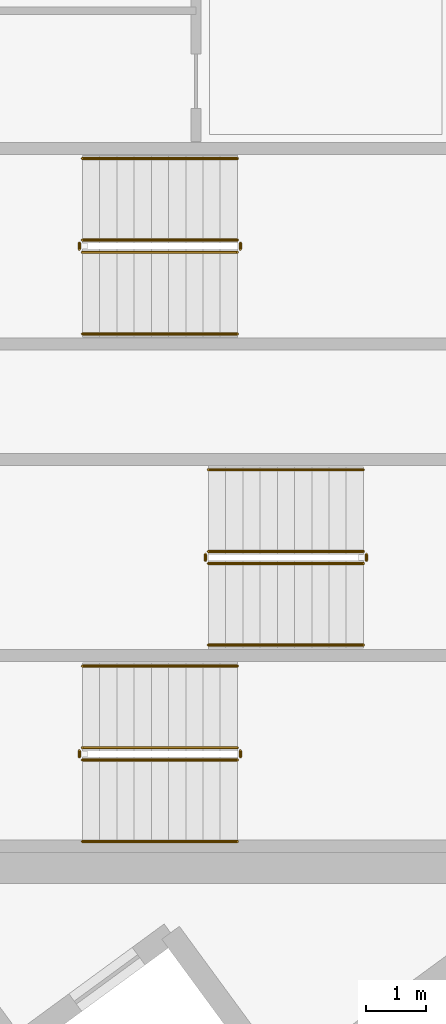
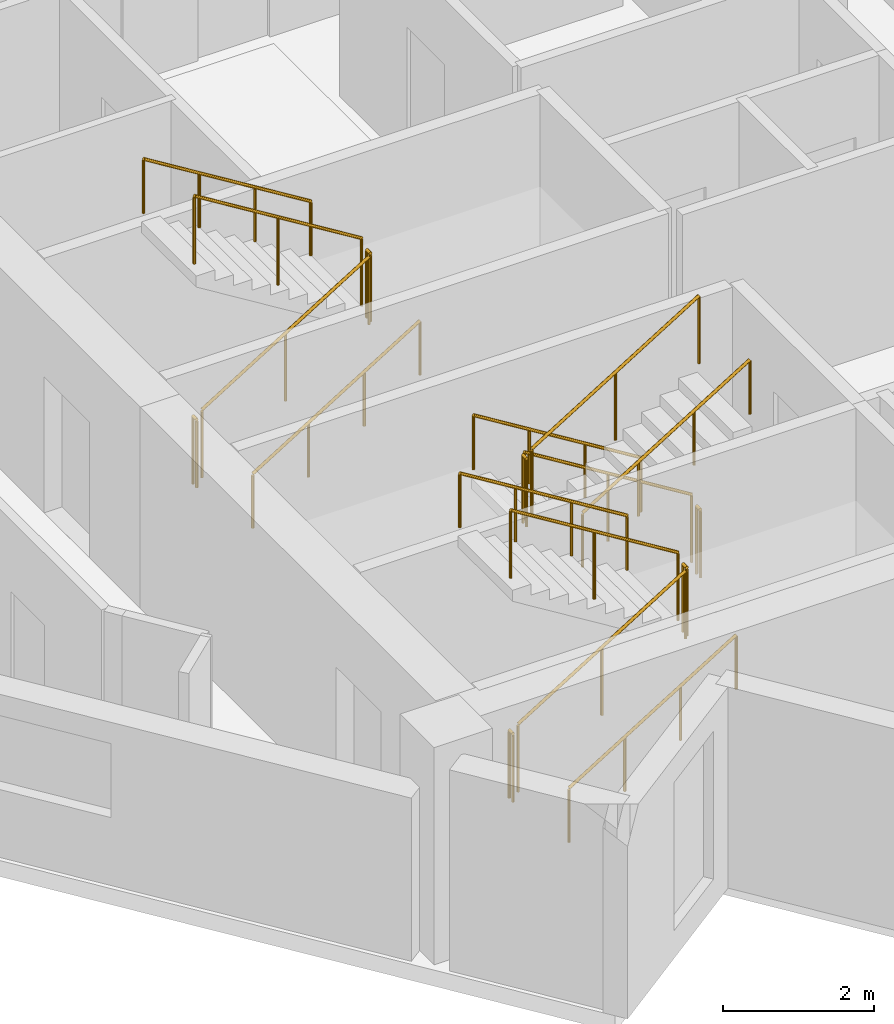
# One storey, part 12 of 13: 18 railings.
"""IFC4 building model written with IfcOpenShell, lengths in metres."""

import ifcopenshell
import ifcopenshell.guid

model = None  # the IFC model being written
_history = None  # IfcOwnerHistory: only IFC2X3 demands one
_inside = {}  # id of a spatial element -> (the spatial element, [elements in it])
_under = {}  # id of a project, library or spatial element -> (it, [spatial elements below it])
_declared = {}  # id of a project -> (the project, [libraries it declares])
_typed = {}  # id of a type object -> (the type object, [elements of that type])
_made_of = {}  # id of a material, layer set ... -> (it, [elements and type objects made of it])


def new_model(schema):
    """Start an empty IFC model of exactly this schema.

    Asked for "IFC4X3", IfcOpenShell would pick the latest addendum, in which some entities
    have other attributes; the version numbers below select the first issue.
    IFC2X3 requires an IfcOwnerHistory on every rooted entity: one is made here for all.
    """
    global model, _history
    if schema == "IFC4X3":
        model = ifcopenshell.file(schema_version=(4, 3, 0, 0))
    else:
        model = ifcopenshell.file(schema=schema)
    _inside.clear()
    _under.clear()
    _declared.clear()
    _typed.clear()
    _made_of.clear()
    _history = None
    if model.schema == "IFC2X3":
        org = make("IfcOrganization", Name="unknown")
        user = make(
            "IfcPersonAndOrganization",
            ThePerson=make("IfcPerson", FamilyName="unknown"),
            TheOrganization=org,
        )
        app = make(
            "IfcApplication",
            ApplicationDeveloper=org,
            Version="unknown",
            ApplicationFullName="unknown",
            ApplicationIdentifier="unknown",
        )
        _history = make(
            "IfcOwnerHistory",
            OwningUser=user,
            OwningApplication=app,
            ChangeAction="ADDED",
            CreationDate=0,
        )
    return model


def make(cls, **values):
    """One entity of the class cls with the attributes given. An attribute that is None is left unset."""
    return model.create_entity(
        cls, **{name: value for name, value in values.items() if value is not None}
    )


def rooted(cls, **values):
    """An entity with a GlobalId (a new one), such as an element, a storey or a relation."""
    return make(cls, GlobalId=ifcopenshell.guid.new(), OwnerHistory=_history, **values)


def si_unit(unit_type, name, prefix=None):
    """IfcSIUnit, for example si_unit("LENGTHUNIT", "METRE", prefix="MILLI")."""
    return make("IfcSIUnit", UnitType=unit_type, Prefix=prefix, Name=name)


def assignment(units):
    """IfcUnitAssignment: the units of a project."""
    return None if units is None else make("IfcUnitAssignment", Units=units)


def point(xyz):
    """IfcCartesianPoint."""
    return None if xyz is None else make("IfcCartesianPoint", Coordinates=xyz)


def direction(xyz):
    """IfcDirection."""
    return None if xyz is None else make("IfcDirection", DirectionRatios=xyz)


def frame(location, z_axis=None, x_axis=None):
    """IfcAxis2Placement3D, a coordinate frame: its origin and axes. An axis left out is left unset."""
    return make(
        "IfcAxis2Placement3D",
        Location=point(location),
        Axis=direction(z_axis),
        RefDirection=direction(x_axis),
    )


def frame_2d(location, x_axis=None):
    """IfcAxis2Placement2D, a coordinate frame in the plane: its origin and x axis."""
    return make(
        "IfcAxis2Placement2D", Location=point(location), RefDirection=direction(x_axis)
    )


def origin():
    """The frame at (0, 0, 0) with its axes left unset."""
    return frame((0.0, 0.0, 0.0))


def origin_2d():
    """The frame at (0, 0) in the plane with its x axis left unset."""
    return frame_2d((0.0, 0.0))


def place(relative_to, where):
    """IfcLocalPlacement: puts the frame where relative to a parent placement (None: the world)."""
    return make(
        "IfcLocalPlacement", PlacementRelTo=relative_to, RelativePlacement=where
    )


def context(
    kind, dimensions, precision=None, world=None, true_north=None, identifier=None
):
    """IfcGeometricRepresentationContext, for example the 3D "Model" context."""
    return make(
        "IfcGeometricRepresentationContext",
        ContextIdentifier=identifier,
        ContextType=kind,
        CoordinateSpaceDimension=dimensions,
        Precision=precision,
        WorldCoordinateSystem=world,
        TrueNorth=true_north,
    )


def subcontext(parent, identifier, kind, view, scale=None):
    """IfcGeometricRepresentationSubContext, for example "Body" below "Model"."""
    return make(
        "IfcGeometricRepresentationSubContext",
        ContextIdentifier=identifier,
        ContextType=kind,
        ParentContext=parent,
        TargetScale=scale,
        TargetView=view,
    )


def project(units=None, contexts=None):
    """IfcProject with its units and contexts."""
    return rooted(
        "IfcProject",
        Name="project",
        RepresentationContexts=contexts,
        UnitsInContext=assignment(units),
    )


def spatial(cls, under=None, at=None, **own):
    """A site, building, storey or space (cls), placed at a placement, below another one or the project."""
    s = rooted(cls, ObjectPlacement=at, **own)
    if under is not None:
        _under.setdefault(under.id(), (under, []))[1].append(s)
    return s


def profile(cls, at=None, kind="AREA", **sizes):
    """A parametric profile (cls). Its sizes go by their IFC names, for example OverallWidth=200.0."""
    return make(cls, ProfileType=kind, Position=at, **sizes)


def circle(**sizes):
    """IfcCircleProfileDef."""
    return profile("IfcCircleProfileDef", **sizes)


def extrude(swept, where, along, depth):
    """IfcExtrudedAreaSolid: the profile swept, set in the frame where, extruded along a direction by depth."""
    return make(
        "IfcExtrudedAreaSolid",
        SweptArea=swept,
        Position=where,
        ExtrudedDirection=direction(along),
        Depth=depth,
    )


def shape(context_of_items, identifier, shape_type, items):
    """IfcShapeRepresentation: the items that make up one representation, for example the "Body"."""
    return make(
        "IfcShapeRepresentation",
        ContextOfItems=context_of_items,
        RepresentationIdentifier=identifier,
        RepresentationType=shape_type,
        Items=items,
    )


def material(Name=None, Category=None):
    """IfcMaterial."""
    return make("IfcMaterial", Name=Name, Category=Category)


def made_of(thing, what):
    """Note that an element or type object is made of a material, layer set ...; save() writes the relation."""
    if what is not None:
        _made_of.setdefault(what.id(), (what, []))[1].append(thing)
    return thing


def type_object(cls, material=None, **own):
    """A type object (cls), such as IfcWallType, which elements share."""
    return made_of(rooted(cls, **own), material)


def element(
    cls,
    number,
    at=None,
    inside=None,
    cuts=None,
    type_object=None,
    material=None,
    context=None,
    identifier="Body",
    shape_type=None,
    held_by="IfcProductDefinitionShape",
    body=None,
    shapes=None,
    **own,
):
    """One element of the class cls, such as IfcWall. Its Tag is "e" and its number.

    at: its placement. inside: the storey or other place that contains it. cuts: it is an
    opening in that element (IfcRelVoidsElement). A single representation is given by context,
    identifier, shape_type and body (its items); several are given by shapes. held_by: the class
    of the entity that holds the representations. save() writes the other relations.
    """
    e = rooted(cls, Tag="e%d" % number, ObjectPlacement=at, **own)
    if body is not None:
        shapes = [shape(context, identifier, shape_type, body)]
    if shapes is not None:
        e.Representation = make(held_by, Representations=shapes)
    if inside is not None:
        _inside.setdefault(inside.id(), (inside, []))[1].append(e)
    if cuts is not None:
        rooted(
            "IfcRelVoidsElement", RelatingBuildingElement=cuts, RelatedOpeningElement=e
        )
    if type_object is not None:
        _typed.setdefault(type_object.id(), (type_object, []))[1].append(e)
    return made_of(e, material)


def aggregate(whole, parts):
    """IfcRelAggregates: a whole, such as a stair, and the parts it consists of."""
    return rooted("IfcRelAggregates", RelatingObject=whole, RelatedObjects=parts)


def save(model, path):
    """Write the relations noted so far, then the file.

    IfcRelAggregates (storeys below a building ...), IfcRelContainedInSpatialStructure (elements
    in a storey), IfcRelDefinesByType, IfcRelAssociatesMaterial and IfcRelDeclares: one each for
    every whole, place, type object, material and project.
    """
    for whole, parts in _under.values():
        aggregate(whole, parts)
    for where, things in _inside.values():
        rooted(
            "IfcRelContainedInSpatialStructure",
            RelatedElements=things,
            RelatingStructure=where,
        )
    for kind, things in _typed.values():
        rooted("IfcRelDefinesByType", RelatedObjects=things, RelatingType=kind)
    for what, things in _made_of.values():
        rooted("IfcRelAssociatesMaterial", RelatedObjects=things, RelatingMaterial=what)
    for by, libraries in _declared.values():
        rooted("IfcRelDeclares", RelatingContext=by, RelatedDefinitions=libraries)
    model.write(path)


model = new_model("IFC4")

# Units and contexts
model_context = context("Model", 3, precision=1e-05, world=origin(), true_north=direction((0.0, 1.0)))
body_context = subcontext(model_context, "Body", "Model", "MODEL_VIEW")
ifc_project = project(units=[si_unit("LENGTHUNIT", "METRE"), si_unit("AREAUNIT", "SQUARE_METRE"), si_unit("VOLUMEUNIT", "CUBIC_METRE"), si_unit("PLANEANGLEUNIT", "RADIAN"), si_unit("MASSUNIT", "GRAM", prefix="KILO")], contexts=[model_context])

# Site, building, storey
site_placement = place(None, origin())
site = spatial("IfcSite", under=ifc_project, at=site_placement, CompositionType="ELEMENT")
building_placement = place(site_placement, origin())
building = spatial("IfcBuilding", under=site, at=building_placement, Name="Narakoshi Arena Tower", CompositionType="ELEMENT")
storey_placement = place(building_placement, frame((0.0, 0.0, 239.6201171875)))
storey = spatial("IfcBuildingStorey", under=building, at=storey_placement, Name="L65", CompositionType="ELEMENT", Elevation=239.6201171875)

# Railings
ifc_material_1 = material(Name="Clear low-iron laminated structural glass", Category="glass")
railing_type_1 = type_object("IfcRailingType", Name="RL-BAL-1100", PredefinedType="BALUSTRADE", material=ifc_material_1)
railing_1_placement = place(storey_placement, frame((74.39990234375, 36.949951171875, 0.17578125)))
element("IfcRailing", 1, at=railing_1_placement, inside=storey, type_object=railing_type_1, Name="L65 ST1 stair guard 1", PredefinedType="BALUSTRADE", context=body_context, shape_type="SweptSolid", body=[
    extrude(circle(Radius=0.02392578125, at=origin_2d()), frame((0.0, 0.0, 1.09619140625), z_axis=(0.850856559306, 0.0, 0.525398054323), x_axis=(0.0, 1.0, 0.0)), (0.0, 0.0, 1.0), 3.014892578125),
    extrude(circle(Radius=0.02099609375, at=origin_2d()), origin(), (0.0, 0.0, 1.0), 1.072021484375),
    extrude(circle(Radius=0.02099609375, at=origin_2d()), frame((1.28271484375, 0.0, 0.7919921875)), (0.0, 0.0, 1.0), 1.072021484375),
    extrude(circle(Radius=0.02099609375, at=origin_2d()), frame((2.565185546875, 0.0, 1.583984375)), (0.0, 0.0, 1.0), 1.072021484375),
])
railing_2_placement = place(storey_placement, frame((77.014892578125, 37.0, 1.759765625)))
element("IfcRailing", 2, at=railing_2_placement, inside=storey, type_object=railing_type_1, Name="L65 ST1 stair guard 2", PredefinedType="BALUSTRADE", context=body_context, shape_type="SweptSolid", body=[
    extrude(circle(Radius=0.02392578125, at=origin_2d()), frame((0.0, 0.0, 1.09619140625), z_axis=(0.0, 1.0, 0.0), x_axis=(-1.0, 0.0, 0.0)), (0.0, 0.0, 1.0), 0.10009765625),
    extrude(circle(Radius=0.02099609375, at=origin_2d()), origin(), (0.0, 0.0, 1.0), 1.072021484375),
    extrude(circle(Radius=0.02099609375, at=origin_2d()), frame((0.0, 0.10009765625, 0.0)), (0.0, 0.0, 1.0), 1.072021484375),
])
railing_3_placement = place(storey_placement, frame((76.965087890625, 37.14990234375, 1.935791015625)))
element("IfcRailing", 3, at=railing_3_placement, inside=storey, type_object=railing_type_1, Name="L65 ST1 stair guard 3", PredefinedType="BALUSTRADE", context=body_context, shape_type="SweptSolid", body=[
    extrude(circle(Radius=0.02392578125, at=origin_2d()), frame((0.0, 0.0, 1.09619140625), z_axis=(-0.850856559306, 0.0, 0.525398054323), x_axis=(0.0, -1.0, 0.0)), (0.0, 0.0, 1.0), 3.014892578125),
    extrude(circle(Radius=0.02099609375, at=origin_2d()), origin(), (0.0, 0.0, 1.0), 1.072021484375),
    extrude(circle(Radius=0.02099609375, at=origin_2d()), frame((-1.28271484375, 0.0, 0.7919921875)), (0.0, 0.0, 1.0), 1.072021484375),
    extrude(circle(Radius=0.02099609375, at=origin_2d()), frame((-2.565185546875, 0.0, 1.583984375)), (0.0, 0.0, 1.0), 1.072021484375),
])
railing_4_placement = place(storey_placement, frame((74.35009765625, 37.0, 0.0)))
element("IfcRailing", 4, at=railing_4_placement, inside=storey, type_object=railing_type_1, Name="L65 ST1 stair guard 4", PredefinedType="BALUSTRADE", context=body_context, shape_type="SweptSolid", body=[
    extrude(circle(Radius=0.02392578125, at=origin_2d()), frame((0.0, 0.0, 1.09619140625), z_axis=(0.0, 1.0, 0.0), x_axis=(-1.0, 0.0, 0.0)), (0.0, 0.0, 1.0), 0.10009765625),
    extrude(circle(Radius=0.02099609375, at=origin_2d()), origin(), (0.0, 0.0, 1.0), 1.072021484375),
    extrude(circle(Radius=0.02099609375, at=origin_2d()), frame((0.0, 0.10009765625, 0.0)), (0.0, 0.0, 1.0), 1.072021484375),
])
railing_5_placement = place(storey_placement, frame((79.050048828125, 40.39990234375, 0.17578125)))
element("IfcRailing", 5, at=railing_5_placement, inside=storey, type_object=railing_type_1, Name="L65 ST2 stair guard 1", PredefinedType="BALUSTRADE", context=body_context, shape_type="SweptSolid", body=[
    extrude(circle(Radius=0.02392578125, at=origin_2d()), frame((0.0, 0.0, 1.09619140625), z_axis=(-0.850834203031, 0.0, 0.525434257497), x_axis=(0.0, -1.0, 0.0)), (0.0, 0.0, 1.0), 3.0146484375),
    extrude(circle(Radius=0.02099609375, at=origin_2d()), origin(), (0.0, 0.0, 1.0), 1.072021484375),
    extrude(circle(Radius=0.02099609375, at=origin_2d()), frame((-1.282470703125, 0.0, 0.7919921875)), (0.0, 0.0, 1.0), 1.072021484375),
    extrude(circle(Radius=0.02099609375, at=origin_2d()), frame((-2.56494140625, 0.0, 1.583984375)), (0.0, 0.0, 1.0), 1.072021484375),
])
railing_6_placement = place(storey_placement, frame((76.43505859375, 40.35009765625, 1.759765625)))
element("IfcRailing", 6, at=railing_6_placement, inside=storey, type_object=railing_type_1, Name="L65 ST2 stair guard 2", PredefinedType="BALUSTRADE", context=body_context, shape_type="SweptSolid", body=[
    extrude(circle(Radius=0.02392578125, at=origin_2d()), frame((0.0, 0.0, 1.09619140625), z_axis=(0.0, -1.0, 0.0), x_axis=(1.0, 0.0, 0.0)), (0.0, 0.0, 1.0), 0.10009765625),
    extrude(circle(Radius=0.02099609375, at=origin_2d()), origin(), (0.0, 0.0, 1.0), 1.072021484375),
    extrude(circle(Radius=0.02099609375, at=origin_2d()), frame((0.0, -0.10009765625, 0.0)), (0.0, 0.0, 1.0), 1.072021484375),
])
railing_7_placement = place(storey_placement, frame((76.485107421875, 40.199951171875, 1.935791015625)))
element("IfcRailing", 7, at=railing_7_placement, inside=storey, type_object=railing_type_1, Name="L65 ST2 stair guard 3", PredefinedType="BALUSTRADE", context=body_context, shape_type="SweptSolid", body=[
    extrude(circle(Radius=0.02392578125, at=origin_2d()), frame((0.0, 0.0, 1.09619140625), z_axis=(0.850834203031, 0.0, 0.525434257497), x_axis=(0.0, 1.0, 0.0)), (0.0, 0.0, 1.0), 3.0146484375),
    extrude(circle(Radius=0.02099609375, at=origin_2d()), origin(), (0.0, 0.0, 1.0), 1.072021484375),
    extrude(circle(Radius=0.02099609375, at=origin_2d()), frame((1.282470703125, 0.0, 0.7919921875)), (0.0, 0.0, 1.0), 1.072021484375),
    extrude(circle(Radius=0.02099609375, at=origin_2d()), frame((2.56494140625, 0.0, 1.583984375)), (0.0, 0.0, 1.0), 1.072021484375),
])
railing_8_placement = place(storey_placement, frame((79.10009765625, 40.35009765625, 0.0)))
element("IfcRailing", 8, at=railing_8_placement, inside=storey, type_object=railing_type_1, Name="L65 ST2 stair guard 4", PredefinedType="BALUSTRADE", context=body_context, shape_type="SweptSolid", body=[
    extrude(circle(Radius=0.02392578125, at=origin_2d()), frame((0.0, 0.0, 1.09619140625), z_axis=(0.0, -1.0, 0.0), x_axis=(1.0, 0.0, 0.0)), (0.0, 0.0, 1.0), 0.10009765625),
    extrude(circle(Radius=0.02099609375, at=origin_2d()), origin(), (0.0, 0.0, 1.0), 1.072021484375),
    extrude(circle(Radius=0.02099609375, at=origin_2d()), frame((0.0, -0.10009765625, 0.0)), (0.0, 0.0, 1.0), 1.072021484375),
])
railing_9_placement = place(storey_placement, frame((74.39990234375, 45.35009765625, 0.17578125)))
element("IfcRailing", 9, at=railing_9_placement, inside=storey, type_object=railing_type_1, Name="L65 ST3 stair guard 1", PredefinedType="BALUSTRADE", context=body_context, shape_type="SweptSolid", body=[
    extrude(circle(Radius=0.02392578125, at=origin_2d()), frame((0.0, 0.0, 1.09619140625), z_axis=(0.850856559306, 0.0, 0.525398054323), x_axis=(0.0, 1.0, 0.0)), (0.0, 0.0, 1.0), 3.014892578125),
    extrude(circle(Radius=0.02099609375, at=origin_2d()), origin(), (0.0, 0.0, 1.0), 1.072021484375),
    extrude(circle(Radius=0.02099609375, at=origin_2d()), frame((1.28271484375, 0.0, 0.7919921875)), (0.0, 0.0, 1.0), 1.072021484375),
    extrude(circle(Radius=0.02099609375, at=origin_2d()), frame((2.565185546875, 0.0, 1.583984375)), (0.0, 0.0, 1.0), 1.072021484375),
])
railing_10_placement = place(storey_placement, frame((77.014892578125, 45.39990234375, 1.759765625)))
element("IfcRailing", 10, at=railing_10_placement, inside=storey, type_object=railing_type_1, Name="L65 ST3 stair guard 2", PredefinedType="BALUSTRADE", context=body_context, shape_type="SweptSolid", body=[
    extrude(circle(Radius=0.02392578125, at=origin_2d()), frame((0.0, 0.0, 1.09619140625), z_axis=(0.0, 1.0, 0.0), x_axis=(-1.0, 0.0, 0.0)), (0.0, 0.0, 1.0), 0.10009765625),
    extrude(circle(Radius=0.02099609375, at=origin_2d()), origin(), (0.0, 0.0, 1.0), 1.072021484375),
    extrude(circle(Radius=0.02099609375, at=origin_2d()), frame((0.0, 0.10009765625, 0.0)), (0.0, 0.0, 1.0), 1.072021484375),
])
railing_11_placement = place(storey_placement, frame((76.965087890625, 45.550048828125, 1.935791015625)))
element("IfcRailing", 11, at=railing_11_placement, inside=storey, type_object=railing_type_1, Name="L65 ST3 stair guard 3", PredefinedType="BALUSTRADE", context=body_context, shape_type="SweptSolid", body=[
    extrude(circle(Radius=0.02392578125, at=origin_2d()), frame((0.0, 0.0, 1.09619140625), z_axis=(-0.850856559306, 0.0, 0.525398054323), x_axis=(0.0, -1.0, 0.0)), (0.0, 0.0, 1.0), 3.014892578125),
    extrude(circle(Radius=0.02099609375, at=origin_2d()), origin(), (0.0, 0.0, 1.0), 1.072021484375),
    extrude(circle(Radius=0.02099609375, at=origin_2d()), frame((-1.28271484375, 0.0, 0.7919921875)), (0.0, 0.0, 1.0), 1.072021484375),
    extrude(circle(Radius=0.02099609375, at=origin_2d()), frame((-2.565185546875, 0.0, 1.583984375)), (0.0, 0.0, 1.0), 1.072021484375),
])
railing_12_placement = place(storey_placement, frame((74.35009765625, 45.39990234375, 0.0)))
element("IfcRailing", 12, at=railing_12_placement, inside=storey, type_object=railing_type_1, Name="L65 ST3 stair guard 4", PredefinedType="BALUSTRADE", context=body_context, shape_type="SweptSolid", body=[
    extrude(circle(Radius=0.02392578125, at=origin_2d()), frame((0.0, 0.0, 1.09619140625), z_axis=(0.0, 1.0, 0.0), x_axis=(-1.0, 0.0, 0.0)), (0.0, 0.0, 1.0), 0.10009765625),
    extrude(circle(Radius=0.02099609375, at=origin_2d()), origin(), (0.0, 0.0, 1.0), 1.072021484375),
    extrude(circle(Radius=0.02099609375, at=origin_2d()), frame((0.0, 0.10009765625, 0.0)), (0.0, 0.0, 1.0), 1.072021484375),
])
ifc_material_2 = material(Name="Brushed bronze stainless steel", Category="steel")
railing_type_2 = type_object("IfcRailingType", Name="RL-HND-900", PredefinedType="HANDRAIL", material=ifc_material_2)
railing_13_placement = place(storey_placement, frame((74.39990234375, 35.60009765625, 0.17578125)))
element("IfcRailing", 13, at=railing_13_placement, inside=storey, type_object=railing_type_2, Name="L65 ST1 stair handrail 1", PredefinedType="HANDRAIL", context=body_context, shape_type="SweptSolid", body=[
    extrude(circle(Radius=0.02392578125, at=origin_2d()), frame((0.0, 0.0, 0.8759765625), z_axis=(0.850856559306, 0.0, 0.525398054323), x_axis=(0.0, 1.0, 0.0)), (0.0, 0.0, 1.0), 3.014892578125),
    extrude(circle(Radius=0.02099609375, at=origin_2d()), origin(), (0.0, 0.0, 1.0), 0.851806640625),
    extrude(circle(Radius=0.02099609375, at=origin_2d()), frame((0.85498046875, 0.0, 0.528076171875)), (0.0, 0.0, 1.0), 0.851806640625),
    extrude(circle(Radius=0.02099609375, at=origin_2d()), frame((1.710205078125, 0.0, 1.055908203125)), (0.0, 0.0, 1.0), 0.851806640625),
    extrude(circle(Radius=0.02099609375, at=origin_2d()), frame((2.565185546875, 0.0, 1.583984375)), (0.0, 0.0, 1.0), 0.851806640625),
])
railing_14_placement = place(storey_placement, frame((76.965087890625, 38.5, 1.935791015625)))
element("IfcRailing", 14, at=railing_14_placement, inside=storey, type_object=railing_type_2, Name="L65 ST1 stair handrail 2", PredefinedType="HANDRAIL", context=body_context, shape_type="SweptSolid", body=[
    extrude(circle(Radius=0.02392578125, at=origin_2d()), frame((0.0, 0.0, 0.8759765625), z_axis=(-0.850856559306, 0.0, 0.525398054323), x_axis=(0.0, -1.0, 0.0)), (0.0, 0.0, 1.0), 3.014892578125),
    extrude(circle(Radius=0.02099609375, at=origin_2d()), origin(), (0.0, 0.0, 1.0), 0.851806640625),
    extrude(circle(Radius=0.02099609375, at=origin_2d()), frame((-0.85498046875, 0.0, 0.528076171875)), (0.0, 0.0, 1.0), 0.851806640625),
    extrude(circle(Radius=0.02099609375, at=origin_2d()), frame((-1.710205078125, 0.0, 1.055908203125)), (0.0, 0.0, 1.0), 0.851806640625),
    extrude(circle(Radius=0.02099609375, at=origin_2d()), frame((-2.565185546875, 0.0, 1.583984375)), (0.0, 0.0, 1.0), 0.851806640625),
])
railing_15_placement = place(storey_placement, frame((79.050048828125, 41.75, 0.17578125)))
element("IfcRailing", 15, at=railing_15_placement, inside=storey, type_object=railing_type_2, Name="L65 ST2 stair handrail 1", PredefinedType="HANDRAIL", context=body_context, shape_type="SweptSolid", body=[
    extrude(circle(Radius=0.02392578125, at=origin_2d()), frame((0.0, 0.0, 0.8759765625), z_axis=(-0.850834203031, 0.0, 0.525434257497), x_axis=(0.0, -1.0, 0.0)), (0.0, 0.0, 1.0), 3.0146484375),
    extrude(circle(Radius=0.02099609375, at=origin_2d()), origin(), (0.0, 0.0, 1.0), 0.851806640625),
    extrude(circle(Radius=0.02099609375, at=origin_2d()), frame((-0.85498046875, 0.0, 0.528076171875)), (0.0, 0.0, 1.0), 0.851806640625),
    extrude(circle(Radius=0.02099609375, at=origin_2d()), frame((-1.7099609375, 0.0, 1.055908203125)), (0.0, 0.0, 1.0), 0.851806640625),
    extrude(circle(Radius=0.02099609375, at=origin_2d()), frame((-2.56494140625, 0.0, 1.583984375)), (0.0, 0.0, 1.0), 0.851806640625),
])
railing_16_placement = place(storey_placement, frame((76.485107421875, 38.85009765625, 1.935791015625)))
element("IfcRailing", 16, at=railing_16_placement, inside=storey, type_object=railing_type_2, Name="L65 ST2 stair handrail 2", PredefinedType="HANDRAIL", context=body_context, shape_type="SweptSolid", body=[
    extrude(circle(Radius=0.02392578125, at=origin_2d()), frame((0.0, 0.0, 0.8759765625), z_axis=(0.850834203031, 0.0, 0.525434257497), x_axis=(0.0, 1.0, 0.0)), (0.0, 0.0, 1.0), 3.0146484375),
    extrude(circle(Radius=0.02099609375, at=origin_2d()), origin(), (0.0, 0.0, 1.0), 0.851806640625),
    extrude(circle(Radius=0.02099609375, at=origin_2d()), frame((0.85498046875, 0.0, 0.528076171875)), (0.0, 0.0, 1.0), 0.851806640625),
    extrude(circle(Radius=0.02099609375, at=origin_2d()), frame((1.7099609375, 0.0, 1.055908203125)), (0.0, 0.0, 1.0), 0.851806640625),
    extrude(circle(Radius=0.02099609375, at=origin_2d()), frame((2.56494140625, 0.0, 1.583984375)), (0.0, 0.0, 1.0), 0.851806640625),
])
railing_17_placement = place(storey_placement, frame((74.39990234375, 44.0, 0.17578125)))
element("IfcRailing", 17, at=railing_17_placement, inside=storey, type_object=railing_type_2, Name="L65 ST3 stair handrail 1", PredefinedType="HANDRAIL", context=body_context, shape_type="SweptSolid", body=[
    extrude(circle(Radius=0.02392578125, at=origin_2d()), frame((0.0, 0.0, 0.8759765625), z_axis=(0.850856559306, 0.0, 0.525398054323), x_axis=(0.0, 1.0, 0.0)), (0.0, 0.0, 1.0), 3.014892578125),
    extrude(circle(Radius=0.02099609375, at=origin_2d()), origin(), (0.0, 0.0, 1.0), 0.851806640625),
    extrude(circle(Radius=0.02099609375, at=origin_2d()), frame((0.85498046875, 0.0, 0.528076171875)), (0.0, 0.0, 1.0), 0.851806640625),
    extrude(circle(Radius=0.02099609375, at=origin_2d()), frame((1.710205078125, 0.0, 1.055908203125)), (0.0, 0.0, 1.0), 0.851806640625),
    extrude(circle(Radius=0.02099609375, at=origin_2d()), frame((2.565185546875, 0.0, 1.583984375)), (0.0, 0.0, 1.0), 0.851806640625),
])
railing_18_placement = place(storey_placement, frame((76.965087890625, 46.89990234375, 1.935791015625)))
element("IfcRailing", 18, at=railing_18_placement, inside=storey, type_object=railing_type_2, Name="L65 ST3 stair handrail 2", PredefinedType="HANDRAIL", context=body_context, shape_type="SweptSolid", body=[
    extrude(circle(Radius=0.02392578125, at=origin_2d()), frame((0.0, 0.0, 0.8759765625), z_axis=(-0.850856559306, 0.0, 0.525398054323), x_axis=(0.0, -1.0, 0.0)), (0.0, 0.0, 1.0), 3.014892578125),
    extrude(circle(Radius=0.02099609375, at=origin_2d()), origin(), (0.0, 0.0, 1.0), 0.851806640625),
    extrude(circle(Radius=0.02099609375, at=origin_2d()), frame((-0.85498046875, 0.0, 0.528076171875)), (0.0, 0.0, 1.0), 0.851806640625),
    extrude(circle(Radius=0.02099609375, at=origin_2d()), frame((-1.710205078125, 0.0, 1.055908203125)), (0.0, 0.0, 1.0), 0.851806640625),
    extrude(circle(Radius=0.02099609375, at=origin_2d()), frame((-2.565185546875, 0.0, 1.583984375)), (0.0, 0.0, 1.0), 0.851806640625),
])

save(model, "model.ifc")
